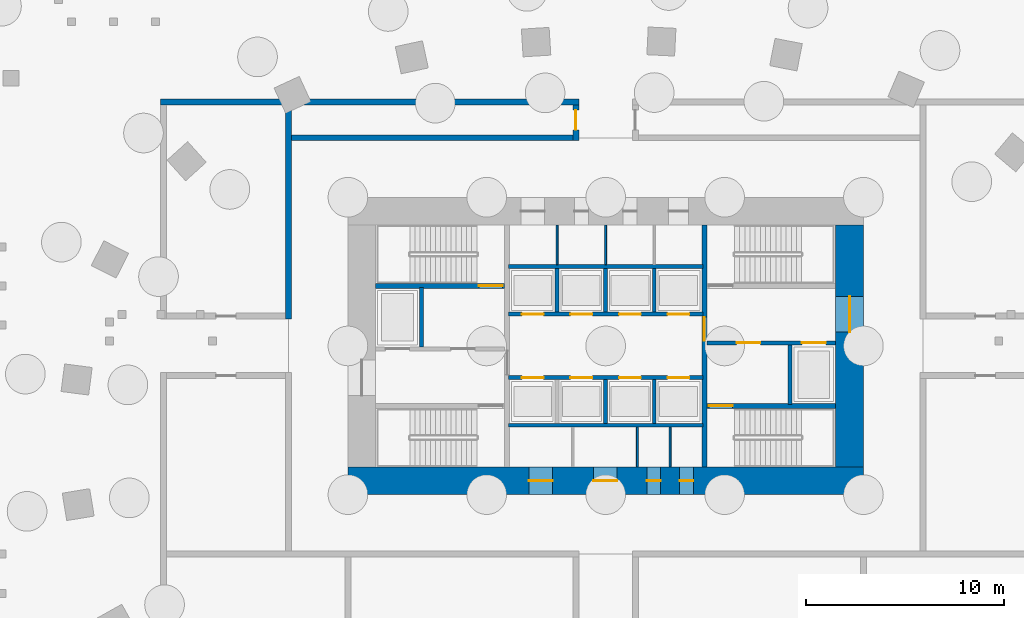
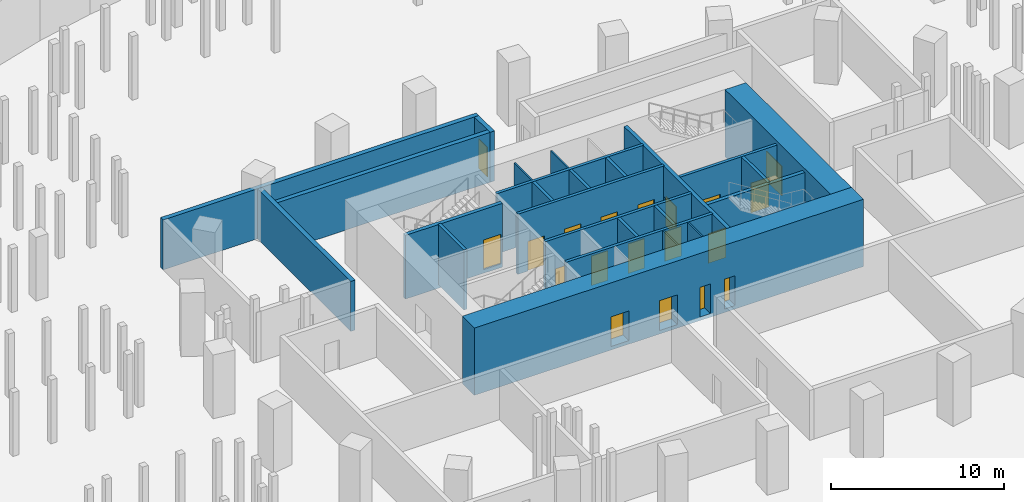
# One storey, part 5 of 10: 25 walls, 19 doors, 19 openings.
"""IFC4 building model written with IfcOpenShell, lengths in metres."""

import ifcopenshell
import ifcopenshell.guid

model = None  # the IFC model being written
_history = None  # IfcOwnerHistory: only IFC2X3 demands one
_inside = {}  # id of a spatial element -> (the spatial element, [elements in it])
_under = {}  # id of a project, library or spatial element -> (it, [spatial elements below it])
_declared = {}  # id of a project -> (the project, [libraries it declares])
_typed = {}  # id of a type object -> (the type object, [elements of that type])
_made_of = {}  # id of a material, layer set ... -> (it, [elements and type objects made of it])


def new_model(schema):
    """Start an empty IFC model of exactly this schema.

    Asked for "IFC4X3", IfcOpenShell would pick the latest addendum, in which some entities
    have other attributes; the version numbers below select the first issue.
    IFC2X3 requires an IfcOwnerHistory on every rooted entity: one is made here for all.
    """
    global model, _history
    if schema == "IFC4X3":
        model = ifcopenshell.file(schema_version=(4, 3, 0, 0))
    else:
        model = ifcopenshell.file(schema=schema)
    _inside.clear()
    _under.clear()
    _declared.clear()
    _typed.clear()
    _made_of.clear()
    _history = None
    if model.schema == "IFC2X3":
        org = make("IfcOrganization", Name="unknown")
        user = make(
            "IfcPersonAndOrganization",
            ThePerson=make("IfcPerson", FamilyName="unknown"),
            TheOrganization=org,
        )
        app = make(
            "IfcApplication",
            ApplicationDeveloper=org,
            Version="unknown",
            ApplicationFullName="unknown",
            ApplicationIdentifier="unknown",
        )
        _history = make(
            "IfcOwnerHistory",
            OwningUser=user,
            OwningApplication=app,
            ChangeAction="ADDED",
            CreationDate=0,
        )
    return model


def make(cls, **values):
    """One entity of the class cls with the attributes given. An attribute that is None is left unset."""
    return model.create_entity(
        cls, **{name: value for name, value in values.items() if value is not None}
    )


def rooted(cls, **values):
    """An entity with a GlobalId (a new one), such as an element, a storey or a relation."""
    return make(cls, GlobalId=ifcopenshell.guid.new(), OwnerHistory=_history, **values)


def si_unit(unit_type, name, prefix=None):
    """IfcSIUnit, for example si_unit("LENGTHUNIT", "METRE", prefix="MILLI")."""
    return make("IfcSIUnit", UnitType=unit_type, Prefix=prefix, Name=name)


def assignment(units):
    """IfcUnitAssignment: the units of a project."""
    return None if units is None else make("IfcUnitAssignment", Units=units)


def point(xyz):
    """IfcCartesianPoint."""
    return None if xyz is None else make("IfcCartesianPoint", Coordinates=xyz)


def direction(xyz):
    """IfcDirection."""
    return None if xyz is None else make("IfcDirection", DirectionRatios=xyz)


def frame(location, z_axis=None, x_axis=None):
    """IfcAxis2Placement3D, a coordinate frame: its origin and axes. An axis left out is left unset."""
    return make(
        "IfcAxis2Placement3D",
        Location=point(location),
        Axis=direction(z_axis),
        RefDirection=direction(x_axis),
    )


def frame_2d(location, x_axis=None):
    """IfcAxis2Placement2D, a coordinate frame in the plane: its origin and x axis."""
    return make(
        "IfcAxis2Placement2D", Location=point(location), RefDirection=direction(x_axis)
    )


def origin():
    """The frame at (0, 0, 0) with its axes left unset."""
    return frame((0.0, 0.0, 0.0))


def place(relative_to, where):
    """IfcLocalPlacement: puts the frame where relative to a parent placement (None: the world)."""
    return make(
        "IfcLocalPlacement", PlacementRelTo=relative_to, RelativePlacement=where
    )


def context(
    kind, dimensions, precision=None, world=None, true_north=None, identifier=None
):
    """IfcGeometricRepresentationContext, for example the 3D "Model" context."""
    return make(
        "IfcGeometricRepresentationContext",
        ContextIdentifier=identifier,
        ContextType=kind,
        CoordinateSpaceDimension=dimensions,
        Precision=precision,
        WorldCoordinateSystem=world,
        TrueNorth=true_north,
    )


def subcontext(parent, identifier, kind, view, scale=None):
    """IfcGeometricRepresentationSubContext, for example "Body" below "Model"."""
    return make(
        "IfcGeometricRepresentationSubContext",
        ContextIdentifier=identifier,
        ContextType=kind,
        ParentContext=parent,
        TargetScale=scale,
        TargetView=view,
    )


def project(units=None, contexts=None):
    """IfcProject with its units and contexts."""
    return rooted(
        "IfcProject",
        Name="project",
        RepresentationContexts=contexts,
        UnitsInContext=assignment(units),
    )


def spatial(cls, under=None, at=None, **own):
    """A site, building, storey or space (cls), placed at a placement, below another one or the project."""
    s = rooted(cls, ObjectPlacement=at, **own)
    if under is not None:
        _under.setdefault(under.id(), (under, []))[1].append(s)
    return s


def profile(cls, at=None, kind="AREA", **sizes):
    """A parametric profile (cls). Its sizes go by their IFC names, for example OverallWidth=200.0."""
    return make(cls, ProfileType=kind, Position=at, **sizes)


def rectangle(**sizes):
    """IfcRectangleProfileDef."""
    return profile("IfcRectangleProfileDef", **sizes)


def extrude(swept, where, along, depth):
    """IfcExtrudedAreaSolid: the profile swept, set in the frame where, extruded along a direction by depth."""
    return make(
        "IfcExtrudedAreaSolid",
        SweptArea=swept,
        Position=where,
        ExtrudedDirection=direction(along),
        Depth=depth,
    )


def shape(context_of_items, identifier, shape_type, items):
    """IfcShapeRepresentation: the items that make up one representation, for example the "Body"."""
    return make(
        "IfcShapeRepresentation",
        ContextOfItems=context_of_items,
        RepresentationIdentifier=identifier,
        RepresentationType=shape_type,
        Items=items,
    )


def material(Name=None, Category=None):
    """IfcMaterial."""
    return make("IfcMaterial", Name=Name, Category=Category)


def layer(
    of_material, thickness, ventilated=None, Name=None, Category=None, Priority=None
):
    """IfcMaterialLayer: one layer of a wall or slab, of a material (None: an air gap)."""
    return make(
        "IfcMaterialLayer",
        Material=of_material,
        LayerThickness=thickness,
        IsVentilated=ventilated,
        Name=Name,
        Category=Category,
        Priority=Priority,
    )


def layer_set(layers, Name=None):
    """IfcMaterialLayerSet."""
    return make("IfcMaterialLayerSet", MaterialLayers=layers, LayerSetName=Name)


def made_of(thing, what):
    """Note that an element or type object is made of a material, layer set ...; save() writes the relation."""
    if what is not None:
        _made_of.setdefault(what.id(), (what, []))[1].append(thing)
    return thing


def type_object(cls, material=None, **own):
    """A type object (cls), such as IfcWallType, which elements share."""
    return made_of(rooted(cls, **own), material)


def element(
    cls,
    number,
    at=None,
    inside=None,
    cuts=None,
    type_object=None,
    material=None,
    context=None,
    identifier="Body",
    shape_type=None,
    held_by="IfcProductDefinitionShape",
    body=None,
    shapes=None,
    **own,
):
    """One element of the class cls, such as IfcWall. Its Tag is "e" and its number.

    at: its placement. inside: the storey or other place that contains it. cuts: it is an
    opening in that element (IfcRelVoidsElement). A single representation is given by context,
    identifier, shape_type and body (its items); several are given by shapes. held_by: the class
    of the entity that holds the representations. save() writes the other relations.
    """
    e = rooted(cls, Tag="e%d" % number, ObjectPlacement=at, **own)
    if body is not None:
        shapes = [shape(context, identifier, shape_type, body)]
    if shapes is not None:
        e.Representation = make(held_by, Representations=shapes)
    if inside is not None:
        _inside.setdefault(inside.id(), (inside, []))[1].append(e)
    if cuts is not None:
        rooted(
            "IfcRelVoidsElement", RelatingBuildingElement=cuts, RelatedOpeningElement=e
        )
    if type_object is not None:
        _typed.setdefault(type_object.id(), (type_object, []))[1].append(e)
    return made_of(e, material)


def fill(opening, filler):
    """IfcRelFillsElement: the door or window that sits in an opening."""
    return rooted(
        "IfcRelFillsElement",
        RelatingOpeningElement=opening,
        RelatedBuildingElement=filler,
    )


def aggregate(whole, parts):
    """IfcRelAggregates: a whole, such as a stair, and the parts it consists of."""
    return rooted("IfcRelAggregates", RelatingObject=whole, RelatedObjects=parts)


def save(model, path):
    """Write the relations noted so far, then the file.

    IfcRelAggregates (storeys below a building ...), IfcRelContainedInSpatialStructure (elements
    in a storey), IfcRelDefinesByType, IfcRelAssociatesMaterial and IfcRelDeclares: one each for
    every whole, place, type object, material and project.
    """
    for whole, parts in _under.values():
        aggregate(whole, parts)
    for where, things in _inside.values():
        rooted(
            "IfcRelContainedInSpatialStructure",
            RelatedElements=things,
            RelatingStructure=where,
        )
    for kind, things in _typed.values():
        rooted("IfcRelDefinesByType", RelatedObjects=things, RelatingType=kind)
    for what, things in _made_of.values():
        rooted("IfcRelAssociatesMaterial", RelatedObjects=things, RelatingMaterial=what)
    for by, libraries in _declared.values():
        rooted("IfcRelDeclares", RelatingContext=by, RelatedDefinitions=libraries)
    model.write(path)


model = new_model("IFC4")

# Units and contexts
model_context = context("Model", 3, precision=1e-05, world=origin(), true_north=direction((0.0, 1.0)))
body_context = subcontext(model_context, "Body", "Model", "MODEL_VIEW")
ifc_project = project(units=[si_unit("LENGTHUNIT", "METRE"), si_unit("AREAUNIT", "SQUARE_METRE"), si_unit("VOLUMEUNIT", "CUBIC_METRE"), si_unit("PLANEANGLEUNIT", "RADIAN"), si_unit("MASSUNIT", "GRAM", prefix="KILO")], contexts=[model_context])

# Site, building, storey
site_placement = place(None, origin())
site = spatial("IfcSite", under=ifc_project, at=site_placement, CompositionType="ELEMENT")
building_placement = place(site_placement, origin())
building = spatial("IfcBuilding", under=site, at=building_placement, Name="Rubra Terraces Tower", CompositionType="ELEMENT")
storey_placement = place(building_placement, frame((0.0, 0.0, -15.0)))
storey = spatial("IfcBuildingStorey", under=building, at=storey_placement, Name="B3", CompositionType="ELEMENT", Elevation=-15.0)

# Wall, openings, doors
ifc_material_1 = material(Name="Concrete C70", Category="concrete")
ifc_layer_1 = layer(ifc_material_1, 1.39990234375)
ifc_layer_set_1 = layer_set([ifc_layer_1], Name="Concrete C70")
wall_type_1 = type_object("IfcWallType", Name="CORE WALL 1400 C70", PredefinedType="SHEAR", material=ifc_layer_set_1)
wall_1_placement = place(storey_placement, frame((-13.0, -2.300048828125, -0.25), z_axis=(0.0, 0.0, 1.0), x_axis=(1.0, 0.0, 0.0)))
wall_1 = element("IfcWall", 1, at=wall_1_placement, inside=storey, type_object=wall_type_1, Name="CORE WALL S B3", PredefinedType="SHEAR", context=body_context, shape_type="SweptSolid", body=[
    extrude(rectangle(XDim=26.0, YDim=1.39990234375, at=frame_2d((13.0, 0.0))), origin(), (0.0, 0.0, 1.0), 4.75),
])
opening_1_placement = place(wall_1_placement, frame((9.125, 0.0, 0.25)))
opening_1 = element("IfcOpeningElement", 2, at=opening_1_placement, cuts=wall_1, Name="Opening B3.C21", PredefinedType="OPENING", context=body_context, shape_type="SweptSolid", body=[
    extrude(rectangle(XDim=1.199951171875, YDim=2.10009765625, at=frame_2d((0.60009765625, 1.050048828125))), frame((0.0, 0.7099609375, 0.0), z_axis=(0.0, -1.0, 0.0), x_axis=(1.0, 0.0, 0.0)), (0.0, 0.0, 1.0), 1.419921875),
])
opening_2_placement = place(wall_1_placement, frame((12.375, 0.0, 0.25)))
opening_2 = element("IfcOpeningElement", 3, at=opening_2_placement, cuts=wall_1, Name="Opening B3.C22", PredefinedType="OPENING", context=body_context, shape_type="SweptSolid", body=[
    extrude(rectangle(XDim=1.199951171875, YDim=2.10009765625, at=frame_2d((0.60009765625, 1.050048828125))), frame((0.0, 0.7099609375, 0.0), z_axis=(0.0, -1.0, 0.0), x_axis=(1.0, 0.0, 0.0)), (0.0, 0.0, 1.0), 1.419921875),
])
opening_3_placement = place(wall_1_placement, frame((15.074951171875, 0.0, 0.25)))
opening_3 = element("IfcOpeningElement", 4, at=opening_3_placement, cuts=wall_1, Name="Opening B3.C23", PredefinedType="OPENING", context=body_context, shape_type="SweptSolid", body=[
    extrude(rectangle(XDim=0.699951171875, YDim=2.10009765625, at=frame_2d((0.35009765625, 1.050048828125))), frame((0.0, 0.7099609375, 0.0), z_axis=(0.0, -1.0, 0.0), x_axis=(1.0, 0.0, 0.0)), (0.0, 0.0, 1.0), 1.419921875),
])
opening_4_placement = place(wall_1_placement, frame((16.72509765625, 0.0, 0.25)))
opening_4 = element("IfcOpeningElement", 5, at=opening_4_placement, cuts=wall_1, Name="Opening B3.C24", PredefinedType="OPENING", context=body_context, shape_type="SweptSolid", body=[
    extrude(rectangle(XDim=0.699951171875, YDim=2.10009765625, at=frame_2d((0.35009765625, 1.050048828125))), frame((0.0, 0.7099609375, 0.0), z_axis=(0.0, -1.0, 0.0), x_axis=(1.0, 0.0, 0.0)), (0.0, 0.0, 1.0), 1.419921875),
])
ifc_material_2 = material(Name="Painted steel", Category="steel")
door_type_1 = type_object("IfcDoorType", Name="Fire door 1200x2100 single", OperationType="NOTDEFINED", PredefinedType="DOOR", material=ifc_material_2)
door_1_placement = place(opening_1_placement, origin())
door_1 = element("IfcDoor", 6, at=door_1_placement, inside=storey, type_object=door_type_1, Name="Pump room door", OperationType="SINGLE_SWING_LEFT", OverallHeight=2.10009765625, OverallWidth=1.199951171875, PredefinedType="DOOR", context=body_context, shape_type="SweptSolid", body=[
    extrude(rectangle(XDim=1.199951171875, YDim=2.10009765625, at=frame_2d((0.60009765625, 1.050048828125))), frame((0.0, 0.02490234375, 0.0), z_axis=(0.0, -1.0, 0.0), x_axis=(1.0, 0.0, 0.0)), (0.0, 0.0, 1.0), 0.050048828125),
])
fill(opening_1, door_1)
door_2_placement = place(opening_2_placement, origin())
door_2 = element("IfcDoor", 7, at=door_2_placement, inside=storey, type_object=door_type_1, Name="Air handling plant room door", OperationType="SINGLE_SWING_RIGHT", OverallHeight=2.10009765625, OverallWidth=1.199951171875, PredefinedType="DOOR", context=body_context, shape_type="SweptSolid", body=[
    extrude(rectangle(XDim=1.199951171875, YDim=2.10009765625, at=frame_2d((0.60009765625, 1.050048828125))), frame((0.0, 0.02490234375, 0.0), z_axis=(0.0, -1.0, 0.0), x_axis=(1.0, 0.0, 0.0)), (0.0, 0.0, 1.0), 0.050048828125),
])
fill(opening_2, door_2)
door_type_2 = type_object("IfcDoorType", Name="Riser access door 700x2100 single", OperationType="NOTDEFINED", PredefinedType="DOOR", material=ifc_material_2)
door_3_placement = place(opening_3_placement, origin())
door_3 = element("IfcDoor", 8, at=door_3_placement, inside=storey, type_object=door_type_2, Name="Electrical riser room door", OperationType="SINGLE_SWING_LEFT", OverallHeight=2.10009765625, OverallWidth=0.699951171875, PredefinedType="DOOR", context=body_context, shape_type="SweptSolid", body=[
    extrude(rectangle(XDim=0.699951171875, YDim=2.10009765625, at=frame_2d((0.35009765625, 1.050048828125))), frame((0.0, 0.02490234375, 0.0), z_axis=(0.0, -1.0, 0.0), x_axis=(1.0, 0.0, 0.0)), (0.0, 0.0, 1.0), 0.050048828125),
])
fill(opening_3, door_3)
door_4_placement = place(opening_4_placement, origin())
door_4 = element("IfcDoor", 9, at=door_4_placement, inside=storey, type_object=door_type_2, Name="Telecoms room door", OperationType="SINGLE_SWING_RIGHT", OverallHeight=2.10009765625, OverallWidth=0.699951171875, PredefinedType="DOOR", context=body_context, shape_type="SweptSolid", body=[
    extrude(rectangle(XDim=0.699951171875, YDim=2.10009765625, at=frame_2d((0.35009765625, 1.050048828125))), frame((0.0, 0.02490234375, 0.0), z_axis=(0.0, -1.0, 0.0), x_axis=(1.0, 0.0, 0.0)), (0.0, 0.0, 1.0), 0.050048828125),
])
fill(opening_4, door_4)

# Wall, opening, door
wall_2_placement = place(storey_placement, frame((12.300048828125, -1.60009765625, -0.25), z_axis=(0.0, 0.0, 1.0), x_axis=(0.0, 1.0, 0.0)))
wall_2 = element("IfcWall", 10, at=wall_2_placement, inside=storey, type_object=wall_type_1, Name="CORE WALL E B3", PredefinedType="SHEAR", context=body_context, shape_type="SweptSolid", body=[
    extrude(rectangle(XDim=12.2001953125, YDim=1.39990234375, at=frame_2d((6.10009765625, 0.0))), origin(), (0.0, 0.0, 1.0), 4.75),
])
opening_5_placement = place(wall_2_placement, frame((6.800048828125, 0.0, 0.25)))
opening_5 = element("IfcOpeningElement", 11, at=opening_5_placement, cuts=wall_2, Name="Opening B3.C02", PredefinedType="OPENING", context=body_context, shape_type="SweptSolid", body=[
    extrude(rectangle(XDim=1.800048828125, YDim=2.10009765625, at=frame_2d((0.89990234375, 1.050048828125))), frame((0.0, 0.7099609375, 0.0), z_axis=(0.0, -1.0, 0.0), x_axis=(1.0, 0.0, 0.0)), (0.0, 0.0, 1.0), 1.419921875),
])
door_type_3 = type_object("IfcDoorType", Name="Fire door 1800x2100 double", OperationType="NOTDEFINED", PredefinedType="DOOR", material=ifc_material_2)
door_5_placement = place(opening_5_placement, origin())
door_5 = element("IfcDoor", 12, at=door_5_placement, inside=storey, type_object=door_type_3, Name="Core entrance door FF2", OperationType="DOUBLE_DOOR_SINGLE_SWING", OverallHeight=2.10009765625, OverallWidth=1.800048828125, PredefinedType="DOOR", context=body_context, shape_type="SweptSolid", body=[
    extrude(rectangle(XDim=1.800048828125, YDim=2.10009765625, at=frame_2d((0.89990234375, 1.050048828125))), frame((0.0, 0.02490234375, 0.0), z_axis=(0.0, -1.0, 0.0), x_axis=(1.0, 0.0, 0.0)), (0.0, 0.0, 1.0), 0.050048828125),
])
fill(opening_5, door_5)

# Wall, openings, doors
ifc_material_3 = material(Name="Concrete C30", Category="concrete")
ifc_layer_2 = layer(ifc_material_3, 0.199951171875)
ifc_layer_set_2 = layer_set([ifc_layer_2], Name="Concrete C30")
wall_type_2 = type_object("IfcWallType", Name="Core wall 200 concrete", PredefinedType="SOLIDWALL", material=ifc_layer_set_2)
wall_3_placement = place(storey_placement, frame((11.60009765625, 4.64990234375, 0.0), z_axis=(0.0, 0.0, 1.0), x_axis=(-1.0, 0.0, 0.0)))
wall_3 = element("IfcWall", 13, at=wall_3_placement, inside=storey, type_object=wall_type_2, Name="STAIR WALL B3", PredefinedType="SOLIDWALL", context=body_context, shape_type="SweptSolid", body=[
    extrude(rectangle(XDim=6.5, YDim=0.199951171875, at=frame_2d((3.25, 0.0))), origin(), (0.0, 0.0, 1.0), 4.25),
])
opening_6_placement = place(wall_3_placement, frame((3.800048828125, 0.0, 0.0)))
opening_6 = element("IfcOpeningElement", 14, at=opening_6_placement, cuts=wall_3, Name="Opening B3.C06", PredefinedType="OPENING", context=body_context, shape_type="SweptSolid", body=[
    extrude(rectangle(XDim=1.199951171875, YDim=2.10009765625, at=frame_2d((0.60009765625, 1.050048828125))), frame((0.0, 0.10986328125, 0.0), z_axis=(0.0, -1.0, 0.0), x_axis=(1.0, 0.0, 0.0)), (0.0, 0.0, 1.0), 0.219970703125),
])
opening_7_placement = place(wall_3_placement, frame((0.5, 0.0, 0.0)))
opening_7 = element("IfcOpeningElement", 15, at=opening_7_placement, cuts=wall_3, Name="Opening B3.C12", PredefinedType="OPENING", context=body_context, shape_type="SweptSolid", body=[
    extrude(rectangle(XDim=1.199951171875, YDim=2.10009765625, at=frame_2d((0.60009765625, 1.050048828125))), frame((0.0, 0.10986328125, 0.0), z_axis=(0.0, -1.0, 0.0), x_axis=(1.0, 0.0, 0.0)), (0.0, 0.0, 1.0), 0.219970703125),
])
door_6_placement = place(opening_6_placement, origin())
door_6 = element("IfcDoor", 16, at=door_6_placement, inside=storey, type_object=door_type_1, Name="Stair vestibule door S4", OperationType="SINGLE_SWING_RIGHT", OverallHeight=2.10009765625, OverallWidth=1.199951171875, PredefinedType="DOOR", context=body_context, shape_type="SweptSolid", body=[
    extrude(rectangle(XDim=1.199951171875, YDim=2.10009765625, at=frame_2d((0.60009765625, 1.050048828125))), frame((0.0, 0.02490234375, 0.0), z_axis=(0.0, -1.0, 0.0), x_axis=(1.0, 0.0, 0.0)), (0.0, 0.0, 1.0), 0.050048828125),
])
fill(opening_6, door_6)
ifc_material_4 = material(Name="Stainless steel", Category="steel")
door_type_4 = type_object("IfcDoorType", Name="Lift landing door 1200x2100", OperationType="NOTDEFINED", PredefinedType="DOOR", material=ifc_material_4)
door_7_placement = place(opening_7_placement, origin())
door_7 = element("IfcDoor", 17, at=door_7_placement, inside=storey, type_object=door_type_4, Name="Landing door FF2", OperationType="SLIDING_TO_RIGHT", OverallHeight=2.10009765625, OverallWidth=1.199951171875, PredefinedType="DOOR", context=body_context, shape_type="SweptSolid", body=[
    extrude(rectangle(XDim=1.199951171875, YDim=2.10009765625, at=frame_2d((0.60009765625, 1.050048828125))), frame((0.0, 0.02490234375, 0.0), z_axis=(0.0, -1.0, 0.0), x_axis=(1.0, 0.0, 0.0)), (0.0, 0.0, 1.0), 0.050048828125),
])
fill(opening_7, door_7)

# Walls
for number, where, z_axis, x_axis, name in (
    (18, (-9.300048828125, 4.449951171875, 0.0), (0.0, 0.0, 1.0), (0.0, 1.0, 0.0), "STAIR WALL B3"),
    (19, (9.300048828125, 4.550048828125, 0.0), (0.0, 0.0, 1.0), (0.0, -1.0, 0.0), "STAIR WALL B3"),
):
    element("IfcWall", number, at=place(storey_placement, frame(where, z_axis=z_axis, x_axis=x_axis)), inside=storey, type_object=wall_type_2, Name=name, PredefinedType="SOLIDWALL", context=body_context, shape_type="SweptSolid", body=[
        extrude(rectangle(XDim=3.0, YDim=0.199951171875, at=frame_2d((1.5, 0.0))), origin(), (0.0, 0.0, 1.0), 4.25),
    ])
wall_4_placement = place(storey_placement, frame((-4.89990234375, 0.5, 0.0), z_axis=(0.0, 0.0, 1.0), x_axis=(1.0, 0.0, 0.0)))
element("IfcWall", 20, at=wall_4_placement, inside=storey, type_object=wall_type_2, Name="LIFT SHAFT WALL B3", PredefinedType="SOLIDWALL", context=body_context, shape_type="SweptSolid", body=[
    extrude(rectangle(XDim=9.7998046875, YDim=0.199951171875, at=frame_2d((4.89990234375, 0.0))), origin(), (0.0, 0.0, 1.0), 4.25),
])

# Wall, openings, doors
wall_5_placement = place(storey_placement, frame((-4.89990234375, 2.89990234375, 0.0), z_axis=(0.0, 0.0, 1.0), x_axis=(1.0, 0.0, 0.0)))
wall_5 = element("IfcWall", 21, at=wall_5_placement, inside=storey, type_object=wall_type_2, Name="LIFT SHAFT WALL B3", PredefinedType="SOLIDWALL", context=body_context, shape_type="SweptSolid", body=[
    extrude(rectangle(XDim=9.7998046875, YDim=0.199951171875, at=frame_2d((4.89990234375, 0.0))), origin(), (0.0, 0.0, 1.0), 4.25),
])
opening_8_placement = place(wall_5_placement, frame((0.675048828125, 0.0, 0.0)))
opening_8 = element("IfcOpeningElement", 22, at=opening_8_placement, cuts=wall_5, Name="Opening B3.C13", PredefinedType="OPENING", context=body_context, shape_type="SweptSolid", body=[
    extrude(rectangle(XDim=1.10009765625, YDim=2.10009765625, at=frame_2d((0.550048828125, 1.050048828125))), frame((0.0, 0.10986328125, 0.0), z_axis=(0.0, -1.0, 0.0), x_axis=(1.0, 0.0, 0.0)), (0.0, 0.0, 1.0), 0.219970703125),
])
opening_9_placement = place(wall_5_placement, frame((3.125, 0.0, 0.0)))
opening_9 = element("IfcOpeningElement", 23, at=opening_9_placement, cuts=wall_5, Name="Opening B3.C14", PredefinedType="OPENING", context=body_context, shape_type="SweptSolid", body=[
    extrude(rectangle(XDim=1.10009765625, YDim=2.10009765625, at=frame_2d((0.550048828125, 1.050048828125))), frame((0.0, 0.10986328125, 0.0), z_axis=(0.0, -1.0, 0.0), x_axis=(1.0, 0.0, 0.0)), (0.0, 0.0, 1.0), 0.219970703125),
])
opening_10_placement = place(wall_5_placement, frame((5.574951171875, 0.0, 0.0)))
opening_10 = element("IfcOpeningElement", 24, at=opening_10_placement, cuts=wall_5, Name="Opening B3.C15", PredefinedType="OPENING", context=body_context, shape_type="SweptSolid", body=[
    extrude(rectangle(XDim=1.10009765625, YDim=2.10009765625, at=frame_2d((0.550048828125, 1.050048828125))), frame((0.0, 0.10986328125, 0.0), z_axis=(0.0, -1.0, 0.0), x_axis=(1.0, 0.0, 0.0)), (0.0, 0.0, 1.0), 0.219970703125),
])
opening_11_placement = place(wall_5_placement, frame((8.02490234375, 0.0, 0.0)))
opening_11 = element("IfcOpeningElement", 25, at=opening_11_placement, cuts=wall_5, Name="Opening B3.C16", PredefinedType="OPENING", context=body_context, shape_type="SweptSolid", body=[
    extrude(rectangle(XDim=1.10009765625, YDim=2.10009765625, at=frame_2d((0.550048828125, 1.050048828125))), frame((0.0, 0.10986328125, 0.0), z_axis=(0.0, -1.0, 0.0), x_axis=(1.0, 0.0, 0.0)), (0.0, 0.0, 1.0), 0.219970703125),
])
door_type_5 = type_object("IfcDoorType", Name="Lift landing door 1100x2100", OperationType="NOTDEFINED", PredefinedType="DOOR", material=ifc_material_4)
door_8_placement = place(opening_8_placement, origin())
door_8 = element("IfcDoor", 26, at=door_8_placement, inside=storey, type_object=door_type_5, Name="Landing door LB1", OperationType="SLIDING_TO_RIGHT", OverallHeight=2.10009765625, OverallWidth=1.10009765625, PredefinedType="DOOR", context=body_context, shape_type="SweptSolid", body=[
    extrude(rectangle(XDim=1.10009765625, YDim=2.10009765625, at=frame_2d((0.550048828125, 1.050048828125))), frame((0.0, 0.02490234375, 0.0), z_axis=(0.0, -1.0, 0.0), x_axis=(1.0, 0.0, 0.0)), (0.0, 0.0, 1.0), 0.050048828125),
])
fill(opening_8, door_8)
door_9_placement = place(opening_9_placement, origin())
door_9 = element("IfcDoor", 27, at=door_9_placement, inside=storey, type_object=door_type_5, Name="Landing door LB2", OperationType="SLIDING_TO_LEFT", OverallHeight=2.10009765625, OverallWidth=1.10009765625, PredefinedType="DOOR", context=body_context, shape_type="SweptSolid", body=[
    extrude(rectangle(XDim=1.10009765625, YDim=2.10009765625, at=frame_2d((0.550048828125, 1.050048828125))), frame((0.0, 0.02490234375, 0.0), z_axis=(0.0, -1.0, 0.0), x_axis=(1.0, 0.0, 0.0)), (0.0, 0.0, 1.0), 0.050048828125),
])
fill(opening_9, door_9)
door_10_placement = place(opening_10_placement, origin())
door_10 = element("IfcDoor", 28, at=door_10_placement, inside=storey, type_object=door_type_5, Name="Landing door SH1", OperationType="SLIDING_TO_LEFT", OverallHeight=2.10009765625, OverallWidth=1.10009765625, PredefinedType="DOOR", context=body_context, shape_type="SweptSolid", body=[
    extrude(rectangle(XDim=1.10009765625, YDim=2.10009765625, at=frame_2d((0.550048828125, 1.050048828125))), frame((0.0, 0.02490234375, 0.0), z_axis=(0.0, -1.0, 0.0), x_axis=(1.0, 0.0, 0.0)), (0.0, 0.0, 1.0), 0.050048828125),
])
fill(opening_10, door_10)
door_11_placement = place(opening_11_placement, origin())
door_11 = element("IfcDoor", 29, at=door_11_placement, inside=storey, type_object=door_type_5, Name="Landing door SH2", OperationType="SLIDING_TO_RIGHT", OverallHeight=2.10009765625, OverallWidth=1.10009765625, PredefinedType="DOOR", context=body_context, shape_type="SweptSolid", body=[
    extrude(rectangle(XDim=1.10009765625, YDim=2.10009765625, at=frame_2d((0.550048828125, 1.050048828125))), frame((0.0, 0.02490234375, 0.0), z_axis=(0.0, -1.0, 0.0), x_axis=(1.0, 0.0, 0.0)), (0.0, 0.0, 1.0), 0.050048828125),
])
fill(opening_11, door_11)

wall_6_placement = place(storey_placement, frame((-4.89990234375, 6.10009765625, 0.0), z_axis=(0.0, 0.0, 1.0), x_axis=(1.0, 0.0, 0.0)))
wall_6 = element("IfcWall", 30, at=wall_6_placement, inside=storey, type_object=wall_type_2, Name="LIFT SHAFT WALL B3", PredefinedType="SOLIDWALL", context=body_context, shape_type="SweptSolid", body=[
    extrude(rectangle(XDim=9.7998046875, YDim=0.199951171875, at=frame_2d((4.89990234375, 0.0))), origin(), (0.0, 0.0, 1.0), 4.25),
])
opening_12_placement = place(wall_6_placement, frame((0.675048828125, 0.0, 0.0)))
opening_12 = element("IfcOpeningElement", 31, at=opening_12_placement, cuts=wall_6, Name="Opening B3.C17", PredefinedType="OPENING", context=body_context, shape_type="SweptSolid", body=[
    extrude(rectangle(XDim=1.10009765625, YDim=2.10009765625, at=frame_2d((0.550048828125, 1.050048828125))), frame((0.0, 0.10986328125, 0.0), z_axis=(0.0, -1.0, 0.0), x_axis=(1.0, 0.0, 0.0)), (0.0, 0.0, 1.0), 0.219970703125),
])
opening_13_placement = place(wall_6_placement, frame((3.125, 0.0, 0.0)))
opening_13 = element("IfcOpeningElement", 32, at=opening_13_placement, cuts=wall_6, Name="Opening B3.C18", PredefinedType="OPENING", context=body_context, shape_type="SweptSolid", body=[
    extrude(rectangle(XDim=1.10009765625, YDim=2.10009765625, at=frame_2d((0.550048828125, 1.050048828125))), frame((0.0, 0.10986328125, 0.0), z_axis=(0.0, -1.0, 0.0), x_axis=(1.0, 0.0, 0.0)), (0.0, 0.0, 1.0), 0.219970703125),
])
opening_14_placement = place(wall_6_placement, frame((5.574951171875, 0.0, 0.0)))
opening_14 = element("IfcOpeningElement", 33, at=opening_14_placement, cuts=wall_6, Name="Opening B3.C19", PredefinedType="OPENING", context=body_context, shape_type="SweptSolid", body=[
    extrude(rectangle(XDim=1.10009765625, YDim=2.10009765625, at=frame_2d((0.550048828125, 1.050048828125))), frame((0.0, 0.10986328125, 0.0), z_axis=(0.0, -1.0, 0.0), x_axis=(1.0, 0.0, 0.0)), (0.0, 0.0, 1.0), 0.219970703125),
])
opening_15_placement = place(wall_6_placement, frame((8.02490234375, 0.0, 0.0)))
opening_15 = element("IfcOpeningElement", 34, at=opening_15_placement, cuts=wall_6, Name="Opening B3.C20", PredefinedType="OPENING", context=body_context, shape_type="SweptSolid", body=[
    extrude(rectangle(XDim=1.10009765625, YDim=2.10009765625, at=frame_2d((0.550048828125, 1.050048828125))), frame((0.0, 0.10986328125, 0.0), z_axis=(0.0, -1.0, 0.0), x_axis=(1.0, 0.0, 0.0)), (0.0, 0.0, 1.0), 0.219970703125),
])
door_12_placement = place(opening_12_placement, origin())
door_12 = element("IfcDoor", 35, at=door_12_placement, inside=storey, type_object=door_type_5, Name="Landing door LB3", OperationType="SLIDING_TO_RIGHT", OverallHeight=2.10009765625, OverallWidth=1.10009765625, PredefinedType="DOOR", context=body_context, shape_type="SweptSolid", body=[
    extrude(rectangle(XDim=1.10009765625, YDim=2.10009765625, at=frame_2d((0.550048828125, 1.050048828125))), frame((0.0, 0.02490234375, 0.0), z_axis=(0.0, -1.0, 0.0), x_axis=(1.0, 0.0, 0.0)), (0.0, 0.0, 1.0), 0.050048828125),
])
fill(opening_12, door_12)
door_13_placement = place(opening_13_placement, origin())
door_13 = element("IfcDoor", 36, at=door_13_placement, inside=storey, type_object=door_type_5, Name="Landing door LB4", OperationType="SLIDING_TO_LEFT", OverallHeight=2.10009765625, OverallWidth=1.10009765625, PredefinedType="DOOR", context=body_context, shape_type="SweptSolid", body=[
    extrude(rectangle(XDim=1.10009765625, YDim=2.10009765625, at=frame_2d((0.550048828125, 1.050048828125))), frame((0.0, 0.02490234375, 0.0), z_axis=(0.0, -1.0, 0.0), x_axis=(1.0, 0.0, 0.0)), (0.0, 0.0, 1.0), 0.050048828125),
])
fill(opening_13, door_13)
door_14_placement = place(opening_14_placement, origin())
door_14 = element("IfcDoor", 37, at=door_14_placement, inside=storey, type_object=door_type_5, Name="Landing door LB5", OperationType="SLIDING_TO_RIGHT", OverallHeight=2.10009765625, OverallWidth=1.10009765625, PredefinedType="DOOR", context=body_context, shape_type="SweptSolid", body=[
    extrude(rectangle(XDim=1.10009765625, YDim=2.10009765625, at=frame_2d((0.550048828125, 1.050048828125))), frame((0.0, 0.02490234375, 0.0), z_axis=(0.0, -1.0, 0.0), x_axis=(1.0, 0.0, 0.0)), (0.0, 0.0, 1.0), 0.050048828125),
])
fill(opening_14, door_14)
door_15_placement = place(opening_15_placement, origin())
door_15 = element("IfcDoor", 38, at=door_15_placement, inside=storey, type_object=door_type_5, Name="Landing door LB6", OperationType="SLIDING_TO_LEFT", OverallHeight=2.10009765625, OverallWidth=1.10009765625, PredefinedType="DOOR", context=body_context, shape_type="SweptSolid", body=[
    extrude(rectangle(XDim=1.10009765625, YDim=2.10009765625, at=frame_2d((0.550048828125, 1.050048828125))), frame((0.0, 0.02490234375, 0.0), z_axis=(0.0, -1.0, 0.0), x_axis=(1.0, 0.0, 0.0)), (0.0, 0.0, 1.0), 0.050048828125),
])
fill(opening_15, door_15)

# Walls
wall_7_placement = place(storey_placement, frame((-4.89990234375, 8.5, 0.0), z_axis=(0.0, 0.0, 1.0), x_axis=(1.0, 0.0, 0.0)))
element("IfcWall", 39, at=wall_7_placement, inside=storey, type_object=wall_type_2, Name="LIFT SHAFT WALL B3", PredefinedType="SOLIDWALL", context=body_context, shape_type="SweptSolid", body=[
    extrude(rectangle(XDim=9.7998046875, YDim=0.199951171875, at=frame_2d((4.89990234375, 0.0))), origin(), (0.0, 0.0, 1.0), 4.25),
])
for number, where, z_axis, x_axis, name in (
    (40, (0.0, 0.60009765625, 0.0), (0.0, 0.0, 1.0), (0.0, 1.0, 0.0), "LIFT SHAFT WALL B3"),
    (41, (2.449951171875, 0.60009765625, 0.0), (0.0, 0.0, 1.0), (0.0, 1.0, 0.0), "LIFT SHAFT WALL B3"),
    (42, (-2.449951171875, 6.199951171875, 0.0), (0.0, 0.0, 1.0), (0.0, 1.0, 0.0), "LIFT SHAFT WALL B3"),
    (43, (0.0, 6.199951171875, 0.0), (0.0, 0.0, 1.0), (0.0, 1.0, 0.0), "LIFT SHAFT WALL B3"),
    (44, (2.449951171875, 6.199951171875, 0.0), (0.0, 0.0, 1.0), (0.0, 1.0, 0.0), "LIFT SHAFT WALL B3"),
):
    element("IfcWall", number, at=place(storey_placement, frame(where, z_axis=z_axis, x_axis=x_axis)), inside=storey, type_object=wall_type_2, Name=name, PredefinedType="SOLIDWALL", context=body_context, shape_type="SweptSolid", body=[
        extrude(rectangle(XDim=2.199951171875, YDim=0.199951171875, at=frame_2d((1.10009765625, 0.0))), origin(), (0.0, 0.0, 1.0), 4.25),
    ])
ifc_material_5 = material(Name="Blockwork", Category="masonry")
ifc_layer_3 = layer(ifc_material_5, 0.300048828125)
ifc_layer_set_3 = layer_set([ifc_layer_3], Name="Blockwork")
wall_type_3 = type_object("IfcWallType", Name="Plant wall 300 blockwork", PredefinedType="SOLIDWALL", material=ifc_layer_set_3)
wall_8_placement = place(storey_placement, frame((-16.0, 5.85009765625, 0.0), z_axis=(0.0, 0.0, 1.0), x_axis=(0.0, 1.0, 0.0)))
element("IfcWall", 45, at=wall_8_placement, inside=storey, type_object=wall_type_3, Name="Plant room wall", PredefinedType="SOLIDWALL", context=body_context, shape_type="SweptSolid", body=[
    extrude(rectangle(XDim=10.7998046875, YDim=0.300048828125, at=frame_2d((5.39990234375, 0.0))), origin(), (0.0, 0.0, 1.0), 3.530029296875),
])
wall_9_placement = place(storey_placement, frame((-1.35009765625, 16.800048828125, 0.0), z_axis=(0.0, 0.0, 1.0), x_axis=(-1.0, 0.0, 0.0)))
element("IfcWall", 46, at=wall_9_placement, inside=storey, type_object=wall_type_3, Name="Plant room wall", PredefinedType="SOLIDWALL", context=body_context, shape_type="SweptSolid", body=[
    extrude(rectangle(XDim=21.099853515625, YDim=0.300048828125, at=frame_2d((10.5498046875, 0.0))), origin(), (0.0, 0.0, 1.0), 3.530029296875),
])

# Wall, opening, door
wall_10_placement = place(storey_placement, frame((-1.5, 14.85009765625, 0.0), z_axis=(0.0, 0.0, 1.0), x_axis=(0.0, 1.0, 0.0)))
wall_10 = element("IfcWall", 47, at=wall_10_placement, inside=storey, type_object=wall_type_3, Name="Plant room wall", PredefinedType="SOLIDWALL", context=body_context, shape_type="SweptSolid", body=[
    extrude(rectangle(XDim=1.7998046875, YDim=0.300048828125, at=frame_2d((0.89990234375, 0.0))), origin(), (0.0, 0.0, 1.0), 3.530029296875),
])
opening_16_placement = place(wall_10_placement, frame((0.550048828125, 0.0, 0.0)))
opening_16 = element("IfcOpeningElement", 48, at=opening_16_placement, cuts=wall_10, Name="Opening DB1", PredefinedType="OPENING", context=body_context, shape_type="SweptSolid", body=[
    extrude(rectangle(XDim=1.0, YDim=2.10009765625, at=frame_2d((0.5, 1.050048828125))), frame((0.0, 0.159912109375, 0.0), z_axis=(0.0, -1.0, 0.0), x_axis=(1.0, 0.0, 0.0)), (0.0, 0.0, 1.0), 0.320068359375),
])
ifc_material_6 = material(Name="Painted timber", Category="wood")
door_type_6 = type_object("IfcDoorType", Name="Door 1000x2100 single", OperationType="NOTDEFINED", PredefinedType="DOOR", material=ifc_material_6)
door_16_placement = place(opening_16_placement, origin())
door_16 = element("IfcDoor", 49, at=door_16_placement, inside=storey, type_object=door_type_6, Name="Plant room door B3-09", OperationType="SINGLE_SWING_LEFT", OverallHeight=2.10009765625, OverallWidth=1.0, PredefinedType="DOOR", context=body_context, shape_type="SweptSolid", body=[
    extrude(rectangle(XDim=1.0, YDim=2.10009765625, at=frame_2d((0.5, 1.050048828125))), frame((0.0, 0.02490234375, 0.0), z_axis=(0.0, -1.0, 0.0), x_axis=(1.0, 0.0, 0.0)), (0.0, 0.0, 1.0), 0.050048828125),
])
fill(opening_16, door_16)

# Walls
wall_11_placement = place(storey_placement, frame((-15.85009765625, 15.0, 0.0), z_axis=(0.0, 0.0, 1.0), x_axis=(1.0, 0.0, 0.0)))
element("IfcWall", 50, at=wall_11_placement, inside=storey, type_object=wall_type_3, Name="Plant room wall", PredefinedType="SOLIDWALL", context=body_context, shape_type="SweptSolid", body=[
    extrude(rectangle(XDim=14.2001953125, YDim=0.300048828125, at=frame_2d((7.10009765625, 0.0))), origin(), (0.0, 0.0, 1.0), 3.530029296875),
])
ifc_layer_4 = layer(ifc_material_5, 0.10009765625)
ifc_layer_set_4 = layer_set([ifc_layer_4], Name="Blockwork")
wall_type_4 = type_object("IfcWallType", Name="Service partition 100 blockwork", PredefinedType="PARTITIONING", material=ifc_layer_set_4)
for number, where, z_axis, x_axis, name in (
    (51, (1.60009765625, -1.60009765625, 0.0), (0.0, 0.0, 1.0), (0.0, 1.0, 0.0), "SERVICE ROOM PARTITION B3"),
    (52, (3.25, -1.60009765625, 0.0), (0.0, 0.0, 1.0), (0.0, 1.0, 0.0), "SERVICE ROOM PARTITION B3"),
    (53, (-2.449951171875, 8.60009765625, 0.0), (0.0, 0.0, 1.0), (0.0, 1.0, 0.0), "SERVICE ROOM PARTITION B3"),
    (54, (0.0, 8.60009765625, 0.0), (0.0, 0.0, 1.0), (0.0, 1.0, 0.0), "SERVICE ROOM PARTITION B3"),
):
    element("IfcWall", number, at=place(storey_placement, frame(where, z_axis=z_axis, x_axis=x_axis)), inside=storey, type_object=wall_type_4, Name=name, PredefinedType="PARTITIONING", context=body_context, shape_type="SweptSolid", body=[
        extrude(rectangle(XDim=2.0, YDim=0.10009765625, at=frame_2d((1.0, 0.0))), origin(), (0.0, 0.0, 1.0), 4.25),
    ])

# Wall, opening, door
ifc_material_7 = material(Name="Concrete C40", Category="concrete")
ifc_layer_5 = layer(ifc_material_7, 0.25)
ifc_layer_set_5 = layer_set([ifc_layer_5], Name="Concrete C40")
wall_type_5 = type_object("IfcWallType", Name="Stair enclosure wall 250 concrete", PredefinedType="SOLIDWALL", material=ifc_layer_set_5)
wall_12_placement = place(storey_placement, frame((-11.60009765625, 7.52490234375, -0.25), z_axis=(0.0, 0.0, 1.0), x_axis=(1.0, 0.0, 0.0)))
wall_12 = element("IfcWall", 55, at=wall_12_placement, inside=storey, type_object=wall_type_5, Name="STAIR WALL B3", PredefinedType="SOLIDWALL", context=body_context, shape_type="SweptSolid", body=[
    extrude(rectangle(XDim=6.5, YDim=0.25, at=frame_2d((3.25, 0.0))), origin(), (0.0, 0.0, 1.0), 4.5),
])
opening_17_placement = place(wall_12_placement, frame((5.199951171875, 0.0, 0.25)))
opening_17 = element("IfcOpeningElement", 56, at=opening_17_placement, cuts=wall_12, Name="Opening B3.C09", PredefinedType="OPENING", context=body_context, shape_type="SweptSolid", body=[
    extrude(rectangle(XDim=1.199951171875, YDim=2.10009765625, at=frame_2d((0.60009765625, 1.050048828125))), frame((0.0, 0.135009765625, 0.0), z_axis=(0.0, -1.0, 0.0), x_axis=(1.0, 0.0, 0.0)), (0.0, 0.0, 1.0), 0.27001953125),
])
door_17_placement = place(opening_17_placement, origin())
door_17 = element("IfcDoor", 57, at=door_17_placement, inside=storey, type_object=door_type_1, Name="Stair door S2", OperationType="SINGLE_SWING_LEFT", OverallHeight=2.10009765625, OverallWidth=1.199951171875, PredefinedType="DOOR", context=body_context, shape_type="SweptSolid", body=[
    extrude(rectangle(XDim=1.199951171875, YDim=2.10009765625, at=frame_2d((0.60009765625, 1.050048828125))), frame((0.0, 0.02490234375, 0.0), z_axis=(0.0, -1.0, 0.0), x_axis=(1.0, 0.0, 0.0)), (0.0, 0.0, 1.0), 0.050048828125),
])
fill(opening_17, door_17)

wall_13_placement = place(storey_placement, frame((11.60009765625, 1.47509765625, -0.25), z_axis=(0.0, 0.0, 1.0), x_axis=(-1.0, 0.0, 0.0)))
wall_13 = element("IfcWall", 58, at=wall_13_placement, inside=storey, type_object=wall_type_5, Name="STAIR WALL B3", PredefinedType="SOLIDWALL", context=body_context, shape_type="SweptSolid", body=[
    extrude(rectangle(XDim=6.5, YDim=0.25, at=frame_2d((3.25, 0.0))), origin(), (0.0, 0.0, 1.0), 4.5),
])
opening_18_placement = place(wall_13_placement, frame((5.199951171875, 0.0, 0.25)))
opening_18 = element("IfcOpeningElement", 59, at=opening_18_placement, cuts=wall_13, Name="Opening B3.C10", PredefinedType="OPENING", context=body_context, shape_type="SweptSolid", body=[
    extrude(rectangle(XDim=1.199951171875, YDim=2.10009765625, at=frame_2d((0.60009765625, 1.050048828125))), frame((0.0, 0.135009765625, 0.0), z_axis=(0.0, -1.0, 0.0), x_axis=(1.0, 0.0, 0.0)), (0.0, 0.0, 1.0), 0.27001953125),
])
door_18_placement = place(opening_18_placement, origin())
door_18 = element("IfcDoor", 60, at=door_18_placement, inside=storey, type_object=door_type_1, Name="Stair door S4", OperationType="SINGLE_SWING_RIGHT", OverallHeight=2.10009765625, OverallWidth=1.199951171875, PredefinedType="DOOR", context=body_context, shape_type="SweptSolid", body=[
    extrude(rectangle(XDim=1.199951171875, YDim=2.10009765625, at=frame_2d((0.60009765625, 1.050048828125))), frame((0.0, 0.02490234375, 0.0), z_axis=(0.0, -1.0, 0.0), x_axis=(1.0, 0.0, 0.0)), (0.0, 0.0, 1.0), 0.050048828125),
])
fill(opening_18, door_18)

wall_14_placement = place(storey_placement, frame((4.97509765625, 10.60009765625, -0.25), z_axis=(0.0, 0.0, 1.0), x_axis=(0.0, -1.0, 0.0)))
wall_14 = element("IfcWall", 61, at=wall_14_placement, inside=storey, type_object=wall_type_5, Name="CORE LOBBY WALL B3", PredefinedType="SOLIDWALL", context=body_context, shape_type="SweptSolid", body=[
    extrude(rectangle(XDim=12.2001953125, YDim=0.25, at=frame_2d((6.10009765625, 0.0))), origin(), (0.0, 0.0, 1.0), 4.5),
])
opening_19_placement = place(wall_14_placement, frame((4.64990234375, 0.0, 0.25)))
opening_19 = element("IfcOpeningElement", 62, at=opening_19_placement, cuts=wall_14, Name="Opening B3.C04", PredefinedType="OPENING", context=body_context, shape_type="SweptSolid", body=[
    extrude(rectangle(XDim=1.199951171875, YDim=2.10009765625, at=frame_2d((0.60009765625, 1.050048828125))), frame((0.0, 0.135009765625, 0.0), z_axis=(0.0, -1.0, 0.0), x_axis=(1.0, 0.0, 0.0)), (0.0, 0.0, 1.0), 0.27001953125),
])
door_19_placement = place(opening_19_placement, origin())
door_19 = element("IfcDoor", 63, at=door_19_placement, inside=storey, type_object=door_type_1, Name="Firefighting lobby door FF2", OperationType="SINGLE_SWING_RIGHT", OverallHeight=2.10009765625, OverallWidth=1.199951171875, PredefinedType="DOOR", context=body_context, shape_type="SweptSolid", body=[
    extrude(rectangle(XDim=1.199951171875, YDim=2.10009765625, at=frame_2d((0.60009765625, 1.050048828125))), frame((0.0, 0.02490234375, 0.0), z_axis=(0.0, -1.0, 0.0), x_axis=(1.0, 0.0, 0.0)), (0.0, 0.0, 1.0), 0.050048828125),
])
fill(opening_19, door_19)

save(model, "model.ifc")
